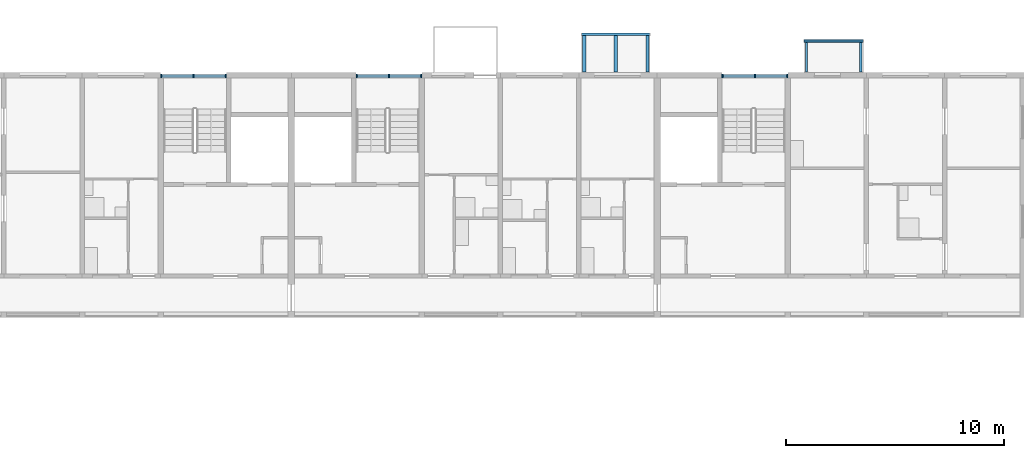
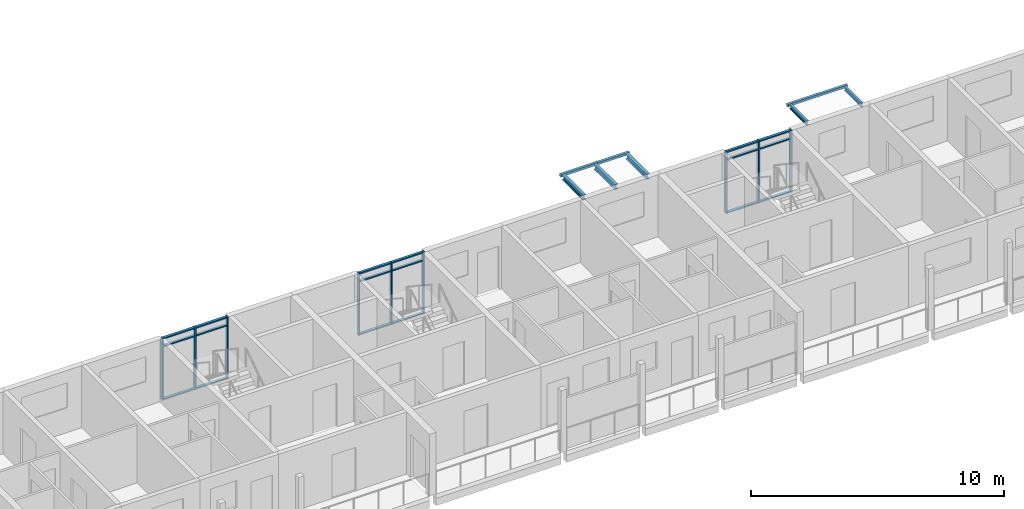
# One storey, part 13 of 98: 27 members, 7 beams, 3 elements without a shape of their own.
"""IFC4 building model written with IfcOpenShell, lengths in metres."""

from ifc_helpers import new_model, si_unit, direction, frame, origin, origin_2d, place, context, subcontext, project, spatial, rectangle, hollow_rectangle, i_section, extrude, material, material_profile, profile_set, type_object, element, aggregate, save


model = new_model("IFC4")

# Units and contexts
model_context = context("Model", 3, precision=1e-05, world=origin(), true_north=direction((0.0, 1.0)))
body_context = subcontext(model_context, "Body", "Model", "MODEL_VIEW")
ifc_project = project(units=[si_unit("LENGTHUNIT", "METRE"), si_unit("AREAUNIT", "SQUARE_METRE"), si_unit("VOLUMEUNIT", "CUBIC_METRE"), si_unit("PLANEANGLEUNIT", "RADIAN"), si_unit("MASSUNIT", "GRAM", prefix="KILO")], contexts=[model_context])

# Site, building, storey
site_placement = place(None, origin())
site = spatial("IfcSite", under=ifc_project, at=site_placement, CompositionType="ELEMENT")
building_placement = place(site_placement, origin())
building = spatial("IfcBuilding", under=site, at=building_placement, Name="Ridgestep Commons", CompositionType="ELEMENT")
storey_placement = place(building_placement, frame((0.0, 0.0, 12.0)))
storey = spatial("IfcBuildingStorey", under=building, at=storey_placement, Name="L04", CompositionType="ELEMENT", Elevation=12.0)

# Curtain wall, members
ifc_material_1 = material(Name="Aluminium 6063-T6 and glass", Category="aluminium")
curtain_wall_type = type_object("IfcCurtainWallType", Name="Curtain wall stair strip", PredefinedType="NOTDEFINED", material=ifc_material_1)
curtain_wall_1_placement = place(storey_placement, origin())
curtain_wall_1 = element("IfcCurtainWall", 1, at=curtain_wall_1_placement, inside=storey, type_object=curtain_wall_type, Name="Curtain wall B4C level 04", PredefinedType="NOTDEFINED")
ifc_material_2 = material(Name="Aluminium 6063-T6", Category="aluminium")
ifc_material_profile_1 = material_profile(ifc_material_2, rectangle(XDim=0.159912109375, YDim=0.06005859375, at=origin_2d()), Name="Mullion 60 x 160")
ifc_profile_set_1 = profile_set([ifc_material_profile_1], Name="Aluminium 6063-T6")
member_type_1 = type_object("IfcMemberType", Name="Mullion 60 x 160", PredefinedType="MULLION", material=ifc_profile_set_1)
member_1_placement = place(storey_placement, frame((73.22998046875, 77.080078125, 0.0), z_axis=(0.0, 0.0, 1.0), x_axis=(0.0, 1.0, 0.0)))
member_1 = element("IfcMember", 2, at=member_1_placement, type_object=member_type_1, Name="CW1 mullion 1", PredefinedType="MULLION", context=body_context, shape_type="SweptSolid", body=[
    extrude(rectangle(XDim=0.159912109375, YDim=0.06005859375, at=origin_2d()), origin(), (0.0, 0.0, 1.0), 3.0),
])
member_2_placement = place(storey_placement, frame((74.71240234375, 77.080078125, 0.0), z_axis=(0.0, 0.0, 1.0), x_axis=(0.0, 1.0, 0.0)))
member_2 = element("IfcMember", 3, at=member_2_placement, type_object=member_type_1, Name="CW1 mullion 2", PredefinedType="MULLION", context=body_context, shape_type="SweptSolid", body=[
    extrude(rectangle(XDim=0.159912109375, YDim=0.06005859375, at=origin_2d()), origin(), (0.0, 0.0, 1.0), 3.0),
])
member_3_placement = place(storey_placement, frame((76.195068359375, 77.080078125, 0.0), z_axis=(0.0, 0.0, 1.0), x_axis=(0.0, 1.0, 0.0)))
member_3 = element("IfcMember", 4, at=member_3_placement, type_object=member_type_1, Name="CW1 mullion 3", PredefinedType="MULLION", context=body_context, shape_type="SweptSolid", body=[
    extrude(rectangle(XDim=0.159912109375, YDim=0.06005859375, at=origin_2d()), origin(), (0.0, 0.0, 1.0), 3.0),
])

curtain_wall_2_placement = place(storey_placement, origin())
curtain_wall_2 = element("IfcCurtainWall", 5, at=curtain_wall_2_placement, inside=storey, type_object=curtain_wall_type, Name="Curtain wall B5C level 04", PredefinedType="NOTDEFINED")
member_4_placement = place(storey_placement, frame((82.205078125, 77.080078125, 0.0), z_axis=(0.0, 0.0, 1.0), x_axis=(0.0, 1.0, 0.0)))
member_4 = element("IfcMember", 6, at=member_4_placement, type_object=member_type_1, Name="CW1 mullion 1", PredefinedType="MULLION", context=body_context, shape_type="SweptSolid", body=[
    extrude(rectangle(XDim=0.159912109375, YDim=0.06005859375, at=origin_2d()), origin(), (0.0, 0.0, 1.0), 3.0),
])
member_5_placement = place(storey_placement, frame((83.6875, 77.080078125, 0.0), z_axis=(0.0, 0.0, 1.0), x_axis=(0.0, 1.0, 0.0)))
member_5 = element("IfcMember", 7, at=member_5_placement, type_object=member_type_1, Name="CW1 mullion 2", PredefinedType="MULLION", context=body_context, shape_type="SweptSolid", body=[
    extrude(rectangle(XDim=0.159912109375, YDim=0.06005859375, at=origin_2d()), origin(), (0.0, 0.0, 1.0), 3.0),
])
member_6_placement = place(storey_placement, frame((85.169921875, 77.080078125, 0.0), z_axis=(0.0, 0.0, 1.0), x_axis=(0.0, 1.0, 0.0)))
member_6 = element("IfcMember", 8, at=member_6_placement, type_object=member_type_1, Name="CW1 mullion 3", PredefinedType="MULLION", context=body_context, shape_type="SweptSolid", body=[
    extrude(rectangle(XDim=0.159912109375, YDim=0.06005859375, at=origin_2d()), origin(), (0.0, 0.0, 1.0), 3.0),
])

curtain_wall_3_placement = place(storey_placement, origin())
curtain_wall_3 = element("IfcCurtainWall", 9, at=curtain_wall_3_placement, inside=storey, type_object=curtain_wall_type, Name="Curtain wall B6C level 04", PredefinedType="NOTDEFINED")
member_7_placement = place(storey_placement, frame((99.0048828125, 77.080078125, 0.0), z_axis=(0.0, 0.0, 1.0), x_axis=(0.0, 1.0, 0.0)))
member_7 = element("IfcMember", 10, at=member_7_placement, type_object=member_type_1, Name="CW1 mullion 1", PredefinedType="MULLION", context=body_context, shape_type="SweptSolid", body=[
    extrude(rectangle(XDim=0.159912109375, YDim=0.06005859375, at=origin_2d()), origin(), (0.0, 0.0, 1.0), 3.0),
])
member_8_placement = place(storey_placement, frame((100.487548828125, 77.080078125, 0.0), z_axis=(0.0, 0.0, 1.0), x_axis=(0.0, 1.0, 0.0)))
member_8 = element("IfcMember", 11, at=member_8_placement, type_object=member_type_1, Name="CW1 mullion 2", PredefinedType="MULLION", context=body_context, shape_type="SweptSolid", body=[
    extrude(rectangle(XDim=0.159912109375, YDim=0.06005859375, at=origin_2d()), origin(), (0.0, 0.0, 1.0), 3.0),
])
member_9_placement = place(storey_placement, frame((101.969970703125, 77.080078125, 0.0), z_axis=(0.0, 0.0, 1.0), x_axis=(0.0, 1.0, 0.0)))
member_9 = element("IfcMember", 12, at=member_9_placement, type_object=member_type_1, Name="CW1 mullion 3", PredefinedType="MULLION", context=body_context, shape_type="SweptSolid", body=[
    extrude(rectangle(XDim=0.159912109375, YDim=0.06005859375, at=origin_2d()), origin(), (0.0, 0.0, 1.0), 3.0),
])

# Member
ifc_material_3 = material(Name="Aluminium 6063-T6", Category="aluminium")
ifc_material_profile_2 = material_profile(ifc_material_3, rectangle(XDim=0.1201171875, YDim=0.06005859375, at=origin_2d()), Name="Transom 60 x 120")
ifc_profile_set_2 = profile_set([ifc_material_profile_2], Name="Aluminium 6063-T6")
member_type_2 = type_object("IfcMemberType", Name="Transom 60 x 120", PredefinedType="USERDEFINED", material=ifc_profile_set_2)
member_10_placement = place(storey_placement, frame((73.260009765625, 77.080078125, 0.030029296875), z_axis=(1.0, 0.0, 0.0), x_axis=(0.0, 1.0, 0.0)))
member_10 = element("IfcMember", 13, at=member_10_placement, type_object=member_type_2, Name="CW1 transom 1.1", ObjectType="TRANSOM", PredefinedType="USERDEFINED", context=body_context, shape_type="SweptSolid", body=[
    extrude(rectangle(XDim=0.1201171875, YDim=0.06005859375, at=origin_2d()), origin(), (0.0, 0.0, 1.0), 1.422607421875),
])

member_11_placement = place(storey_placement, frame((73.260009765625, 77.080078125, 2.590087890625), z_axis=(1.0, 0.0, 0.0), x_axis=(0.0, 1.0, 0.0)))
member_11 = element("IfcMember", 14, at=member_11_placement, type_object=member_type_2, Name="CW1 transom 1.2", ObjectType="TRANSOM", PredefinedType="USERDEFINED", context=body_context, shape_type="SweptSolid", body=[
    extrude(rectangle(XDim=0.1201171875, YDim=0.06005859375, at=origin_2d()), origin(), (0.0, 0.0, 1.0), 1.422607421875),
])

member_12_placement = place(storey_placement, frame((73.260009765625, 77.080078125, 2.969970703125), z_axis=(1.0, 0.0, 0.0), x_axis=(0.0, 1.0, 0.0)))
member_12 = element("IfcMember", 15, at=member_12_placement, type_object=member_type_2, Name="CW1 transom 1.3", ObjectType="TRANSOM", PredefinedType="USERDEFINED", context=body_context, shape_type="SweptSolid", body=[
    extrude(rectangle(XDim=0.1201171875, YDim=0.06005859375, at=origin_2d()), origin(), (0.0, 0.0, 1.0), 1.422607421875),
])

member_13_placement = place(storey_placement, frame((74.742431640625, 77.080078125, 0.030029296875), z_axis=(1.0, 0.0, 0.0), x_axis=(0.0, 1.0, 0.0)))
member_13 = element("IfcMember", 16, at=member_13_placement, type_object=member_type_2, Name="CW1 transom 2.1", ObjectType="TRANSOM", PredefinedType="USERDEFINED", context=body_context, shape_type="SweptSolid", body=[
    extrude(rectangle(XDim=0.1201171875, YDim=0.06005859375, at=origin_2d()), origin(), (0.0, 0.0, 1.0), 1.422607421875),
])

member_14_placement = place(storey_placement, frame((74.742431640625, 77.080078125, 2.590087890625), z_axis=(1.0, 0.0, 0.0), x_axis=(0.0, 1.0, 0.0)))
member_14 = element("IfcMember", 17, at=member_14_placement, type_object=member_type_2, Name="CW1 transom 2.2", ObjectType="TRANSOM", PredefinedType="USERDEFINED", context=body_context, shape_type="SweptSolid", body=[
    extrude(rectangle(XDim=0.1201171875, YDim=0.06005859375, at=origin_2d()), origin(), (0.0, 0.0, 1.0), 1.422607421875),
])

member_15_placement = place(storey_placement, frame((74.742431640625, 77.080078125, 2.969970703125), z_axis=(1.0, 0.0, 0.0), x_axis=(0.0, 1.0, 0.0)))
member_15 = element("IfcMember", 18, at=member_15_placement, type_object=member_type_2, Name="CW1 transom 2.3", ObjectType="TRANSOM", PredefinedType="USERDEFINED", context=body_context, shape_type="SweptSolid", body=[
    extrude(rectangle(XDim=0.1201171875, YDim=0.06005859375, at=origin_2d()), origin(), (0.0, 0.0, 1.0), 1.422607421875),
])

aggregate(curtain_wall_1, [member_1, member_2, member_3, member_10, member_11, member_12, member_13, member_14, member_15])

member_16_placement = place(storey_placement, frame((82.235107421875, 77.080078125, 0.030029296875), z_axis=(1.0, 0.0, 0.0), x_axis=(0.0, 1.0, 0.0)))
member_16 = element("IfcMember", 19, at=member_16_placement, type_object=member_type_2, Name="CW1 transom 1.1", ObjectType="TRANSOM", PredefinedType="USERDEFINED", context=body_context, shape_type="SweptSolid", body=[
    extrude(rectangle(XDim=0.1201171875, YDim=0.06005859375, at=origin_2d()), origin(), (0.0, 0.0, 1.0), 1.42236328125),
])

member_17_placement = place(storey_placement, frame((82.235107421875, 77.080078125, 2.590087890625), z_axis=(1.0, 0.0, 0.0), x_axis=(0.0, 1.0, 0.0)))
member_17 = element("IfcMember", 20, at=member_17_placement, type_object=member_type_2, Name="CW1 transom 1.2", ObjectType="TRANSOM", PredefinedType="USERDEFINED", context=body_context, shape_type="SweptSolid", body=[
    extrude(rectangle(XDim=0.1201171875, YDim=0.06005859375, at=origin_2d()), origin(), (0.0, 0.0, 1.0), 1.42236328125),
])

member_18_placement = place(storey_placement, frame((82.235107421875, 77.080078125, 2.969970703125), z_axis=(1.0, 0.0, 0.0), x_axis=(0.0, 1.0, 0.0)))
member_18 = element("IfcMember", 21, at=member_18_placement, type_object=member_type_2, Name="CW1 transom 1.3", ObjectType="TRANSOM", PredefinedType="USERDEFINED", context=body_context, shape_type="SweptSolid", body=[
    extrude(rectangle(XDim=0.1201171875, YDim=0.06005859375, at=origin_2d()), origin(), (0.0, 0.0, 1.0), 1.42236328125),
])

member_19_placement = place(storey_placement, frame((83.717529296875, 77.080078125, 0.030029296875), z_axis=(1.0, 0.0, 0.0), x_axis=(0.0, 1.0, 0.0)))
member_19 = element("IfcMember", 22, at=member_19_placement, type_object=member_type_2, Name="CW1 transom 2.1", ObjectType="TRANSOM", PredefinedType="USERDEFINED", context=body_context, shape_type="SweptSolid", body=[
    extrude(rectangle(XDim=0.1201171875, YDim=0.06005859375, at=origin_2d()), origin(), (0.0, 0.0, 1.0), 1.42236328125),
])

member_20_placement = place(storey_placement, frame((83.717529296875, 77.080078125, 2.590087890625), z_axis=(1.0, 0.0, 0.0), x_axis=(0.0, 1.0, 0.0)))
member_20 = element("IfcMember", 23, at=member_20_placement, type_object=member_type_2, Name="CW1 transom 2.2", ObjectType="TRANSOM", PredefinedType="USERDEFINED", context=body_context, shape_type="SweptSolid", body=[
    extrude(rectangle(XDim=0.1201171875, YDim=0.06005859375, at=origin_2d()), origin(), (0.0, 0.0, 1.0), 1.42236328125),
])

member_21_placement = place(storey_placement, frame((83.717529296875, 77.080078125, 2.969970703125), z_axis=(1.0, 0.0, 0.0), x_axis=(0.0, 1.0, 0.0)))
member_21 = element("IfcMember", 24, at=member_21_placement, type_object=member_type_2, Name="CW1 transom 2.3", ObjectType="TRANSOM", PredefinedType="USERDEFINED", context=body_context, shape_type="SweptSolid", body=[
    extrude(rectangle(XDim=0.1201171875, YDim=0.06005859375, at=origin_2d()), origin(), (0.0, 0.0, 1.0), 1.42236328125),
])

aggregate(curtain_wall_2, [member_4, member_5, member_6, member_16, member_17, member_18, member_19, member_20, member_21])

member_22_placement = place(storey_placement, frame((99.034912109375, 77.080078125, 0.030029296875), z_axis=(1.0, 0.0, 0.0), x_axis=(0.0, 1.0, 0.0)))
member_22 = element("IfcMember", 25, at=member_22_placement, type_object=member_type_2, Name="CW1 transom 1.1", ObjectType="TRANSOM", PredefinedType="USERDEFINED", context=body_context, shape_type="SweptSolid", body=[
    extrude(rectangle(XDim=0.1201171875, YDim=0.06005859375, at=origin_2d()), origin(), (0.0, 0.0, 1.0), 1.422607421875),
])

member_23_placement = place(storey_placement, frame((99.034912109375, 77.080078125, 2.590087890625), z_axis=(1.0, 0.0, 0.0), x_axis=(0.0, 1.0, 0.0)))
member_23 = element("IfcMember", 26, at=member_23_placement, type_object=member_type_2, Name="CW1 transom 1.2", ObjectType="TRANSOM", PredefinedType="USERDEFINED", context=body_context, shape_type="SweptSolid", body=[
    extrude(rectangle(XDim=0.1201171875, YDim=0.06005859375, at=origin_2d()), origin(), (0.0, 0.0, 1.0), 1.422607421875),
])

member_24_placement = place(storey_placement, frame((99.034912109375, 77.080078125, 2.969970703125), z_axis=(1.0, 0.0, 0.0), x_axis=(0.0, 1.0, 0.0)))
member_24 = element("IfcMember", 27, at=member_24_placement, type_object=member_type_2, Name="CW1 transom 1.3", ObjectType="TRANSOM", PredefinedType="USERDEFINED", context=body_context, shape_type="SweptSolid", body=[
    extrude(rectangle(XDim=0.1201171875, YDim=0.06005859375, at=origin_2d()), origin(), (0.0, 0.0, 1.0), 1.422607421875),
])

member_25_placement = place(storey_placement, frame((100.517578125, 77.080078125, 0.030029296875), z_axis=(1.0, 0.0, 0.0), x_axis=(0.0, 1.0, 0.0)))
member_25 = element("IfcMember", 28, at=member_25_placement, type_object=member_type_2, Name="CW1 transom 2.1", ObjectType="TRANSOM", PredefinedType="USERDEFINED", context=body_context, shape_type="SweptSolid", body=[
    extrude(rectangle(XDim=0.1201171875, YDim=0.06005859375, at=origin_2d()), origin(), (0.0, 0.0, 1.0), 1.42236328125),
])

member_26_placement = place(storey_placement, frame((100.517578125, 77.080078125, 2.590087890625), z_axis=(1.0, 0.0, 0.0), x_axis=(0.0, 1.0, 0.0)))
member_26 = element("IfcMember", 29, at=member_26_placement, type_object=member_type_2, Name="CW1 transom 2.2", ObjectType="TRANSOM", PredefinedType="USERDEFINED", context=body_context, shape_type="SweptSolid", body=[
    extrude(rectangle(XDim=0.1201171875, YDim=0.06005859375, at=origin_2d()), origin(), (0.0, 0.0, 1.0), 1.42236328125),
])

member_27_placement = place(storey_placement, frame((100.517578125, 77.080078125, 2.969970703125), z_axis=(1.0, 0.0, 0.0), x_axis=(0.0, 1.0, 0.0)))
member_27 = element("IfcMember", 30, at=member_27_placement, type_object=member_type_2, Name="CW1 transom 2.3", ObjectType="TRANSOM", PredefinedType="USERDEFINED", context=body_context, shape_type="SweptSolid", body=[
    extrude(rectangle(XDim=0.1201171875, YDim=0.06005859375, at=origin_2d()), origin(), (0.0, 0.0, 1.0), 1.42236328125),
])

aggregate(curtain_wall_3, [member_7, member_8, member_9, member_22, member_23, member_24, member_25, member_26, member_27])

# Beams
ifc_material_4 = material(Name="Weathering steel S355J2W", Category="steel")
ifc_material_profile_3 = material_profile(ifc_material_4, i_section(OverallWidth=0.101806640625, OverallDepth=0.203125, WebThickness=0.00537109375, FlangeThickness=0.00927734375, FilletRadius=0.007568359375, at=origin_2d()), Name="UB 203x102x23")
ifc_profile_set_3 = profile_set([ifc_material_profile_3], Name="Weathering steel S355J2W")
beam_type_1 = type_object("IfcBeamType", Name="Tray arm UB 203x102x23", PredefinedType="BEAM", material=ifc_profile_set_3)
for number, where, z_axis, x_axis, name in (
    (31, (102.85009765625, 77.264892578125, 2.888427734375), (0.0, 1.0, 0.0), (-1.0, 0.0, 0.0), "Tray arm B6T3-05.1"),
    (32, (105.35009765625, 77.264892578125, 2.888427734375), (0.0, 1.0, 0.0), (-1.0, 0.0, 0.0), "Tray arm B6T3-05.2"),
):
    element("IfcBeam", number, at=place(storey_placement, frame(where, z_axis=z_axis, x_axis=x_axis)), inside=storey, type_object=beam_type_1, Name=name, PredefinedType="BEAM", context=body_context, shape_type="SweptSolid", body=[
        extrude(i_section(OverallWidth=0.101806640625, OverallDepth=0.203125, WebThickness=0.00537109375, FlangeThickness=0.00927734375, FilletRadius=0.007568359375, at=origin_2d()), origin(), (0.0, 0.0, 1.0), 1.364990234375),
    ])
ifc_material_5 = material(Name="Weathering steel S355J2W", Category="steel")
ifc_material_profile_4 = material_profile(ifc_material_5, i_section(OverallWidth=0.14599609375, OverallDepth=0.25146484375, WebThickness=0.006103515625, FlangeThickness=0.008544921875, FilletRadius=0.007568359375, at=origin_2d()), Name="UB 254x146x31")
ifc_profile_set_4 = profile_set([ifc_material_profile_4], Name="Weathering steel S355J2W")
beam_type_2 = type_object("IfcBeamType", Name="Tray arm UB 254x146x31", PredefinedType="BEAM", material=ifc_profile_set_4)
for number, where, z_axis, x_axis, name in (
    (33, (92.64990234375, 77.264892578125, 2.8642578125), (0.0, 1.0, 0.0), (-1.0, 0.0, 0.0), "Tray arm B5T1-05.1"),
    (34, (94.10009765625, 77.264892578125, 2.8642578125), (0.0, 1.0, 0.0), (-1.0, 0.0, 0.0), "Tray arm B5T1-05.2"),
    (35, (95.550048828125, 77.264892578125, 2.8642578125), (0.0, 1.0, 0.0), (-1.0, 0.0, 0.0), "Tray arm B5T1-05.3"),
):
    element("IfcBeam", number, at=place(storey_placement, frame(where, z_axis=z_axis, x_axis=x_axis)), inside=storey, type_object=beam_type_2, Name=name, PredefinedType="BEAM", context=body_context, shape_type="SweptSolid", body=[
        extrude(i_section(OverallWidth=0.14599609375, OverallDepth=0.25146484375, WebThickness=0.006103515625, FlangeThickness=0.008544921875, FilletRadius=0.007568359375, at=origin_2d()), origin(), (0.0, 0.0, 1.0), 1.6650390625),
    ])
ifc_material_6 = material(Name="Weathering steel S355J2W", Category="steel")
ifc_material_profile_5 = material_profile(ifc_material_6, hollow_rectangle(XDim=0.1201171875, YDim=0.1201171875, WallThickness=0.00634765625, InnerFilletRadius=0.00634765625, OuterFilletRadius=0.009521484375, at=origin_2d()), Name="SHS 120x120x6.3")
ifc_profile_set_5 = profile_set([ifc_material_profile_5], Name="Weathering steel S355J2W")
beam_type_3 = type_object("IfcBeamType", Name="Tray edge member SHS 120x120x6.3", PredefinedType="BEAM", material=ifc_profile_set_5)
beam_1_placement = place(storey_placement, frame((92.530029296875, 78.989990234375, 2.929931640625), z_axis=(1.0, 0.0, 0.0), x_axis=(0.0, 0.0, 1.0)))
element("IfcBeam", 36, at=beam_1_placement, inside=storey, type_object=beam_type_3, Name="Tray edge member B5T1-05", PredefinedType="BEAM", context=body_context, shape_type="SweptSolid", body=[
    extrude(hollow_rectangle(XDim=0.1201171875, YDim=0.1201171875, WallThickness=0.00634765625, InnerFilletRadius=0.00634765625, OuterFilletRadius=0.009521484375, at=origin_2d()), origin(), (0.0, 0.0, 1.0), 3.139892578125),
])
beam_2_placement = place(storey_placement, frame((102.72998046875, 78.68994140625, 2.929931640625), z_axis=(1.0, 0.0, 0.0), x_axis=(0.0, 0.0, 1.0)))
element("IfcBeam", 37, at=beam_2_placement, inside=storey, type_object=beam_type_3, Name="Tray edge member B6T3-05", PredefinedType="BEAM", context=body_context, shape_type="SweptSolid", body=[
    extrude(hollow_rectangle(XDim=0.1201171875, YDim=0.1201171875, WallThickness=0.00634765625, InnerFilletRadius=0.00634765625, OuterFilletRadius=0.009521484375, at=origin_2d()), origin(), (0.0, 0.0, 1.0), 2.739990234375),
])

save(model, "model.ifc")
